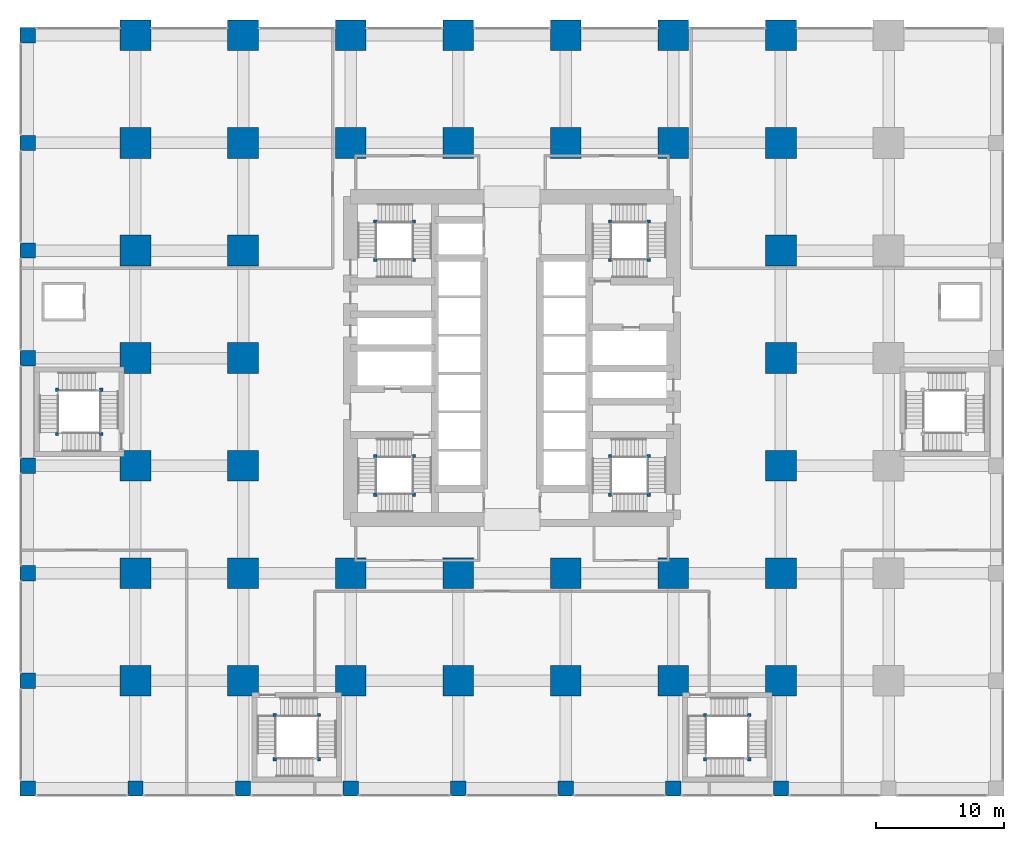
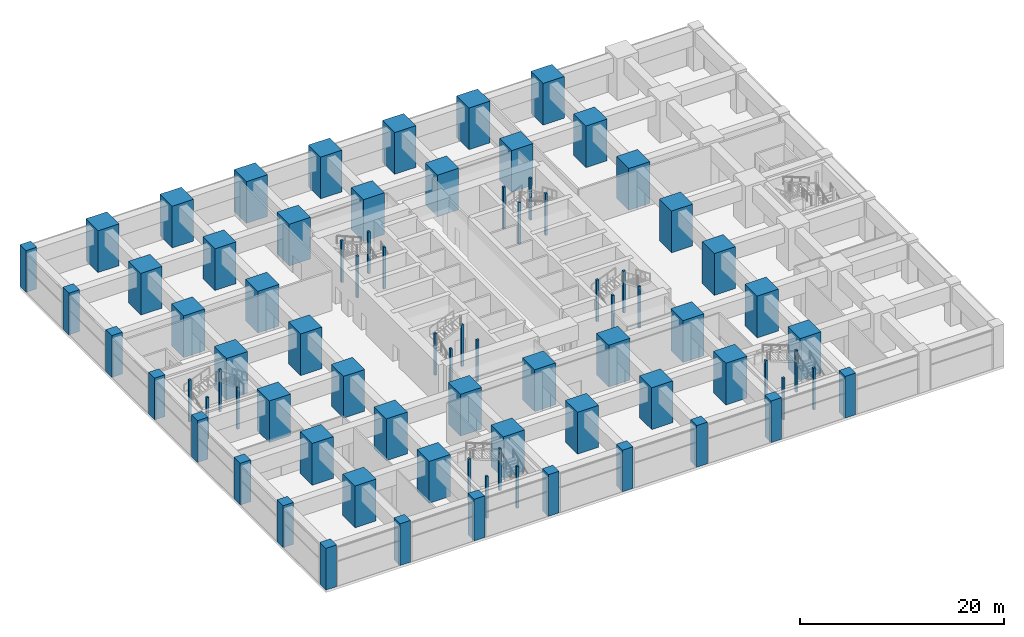
# One storey, part 1 of 48: 80 columns.
"""IFC4 building model written with IfcOpenShell, lengths in metres."""

from ifc_helpers import new_model, si_unit, direction, frame, origin, origin_2d, place, context, subcontext, project, spatial, rectangle, extrude, material, material_profile, profile_set, type_object, element, save


model = new_model("IFC4")

# Units and contexts
model_context = context("Model", 3, precision=1e-05, world=origin(), true_north=direction((0.0, 1.0)))
body_context = subcontext(model_context, "Body", "Model", "MODEL_VIEW")
ifc_project = project(units=[si_unit("LENGTHUNIT", "METRE"), si_unit("AREAUNIT", "SQUARE_METRE"), si_unit("VOLUMEUNIT", "CUBIC_METRE"), si_unit("PLANEANGLEUNIT", "RADIAN"), si_unit("MASSUNIT", "GRAM", prefix="KILO")], contexts=[model_context])

# Site, building, storey
site_placement = place(None, origin())
site = spatial("IfcSite", under=ifc_project, at=site_placement, CompositionType="ELEMENT")
building_placement = place(site_placement, origin())
building = spatial("IfcBuilding", under=site, at=building_placement, Name="Rekha Terrace Tower", CompositionType="ELEMENT")
storey_placement = place(building_placement, frame((0.0, 0.0, 15.39990234375)))
storey = spatial("IfcBuildingStorey", under=building, at=storey_placement, Name="L03", CompositionType="ELEMENT", Elevation=15.39990234375)

# Columns
ifc_material_1 = material(Name="Concrete M70", Category="concrete")
ifc_material_profile_1 = material_profile(ifc_material_1, rectangle(XDim=2.39990234375, YDim=2.39990234375, at=origin_2d()), Name="RC 2400x2400")
ifc_profile_set_1 = profile_set([ifc_material_profile_1], Name="Concrete M70")
column_type_1 = type_object("IfcColumnType", Name="C1 2400x2400 column", PredefinedType="COLUMN", material=ifc_profile_set_1)
for number, where, z_axis, x_axis, name in (
    (1, (8.39990234375, 8.39990234375, 0.0), (0.0, 0.0, 1.0), (1.0, 0.0, 0.0), "Column C1 2/B L03"),
    (2, (8.39990234375, 16.800048828125, 0.0), (0.0, 0.0, 1.0), (1.0, 0.0, 0.0), "Column C1 2/C L03"),
    (3, (8.39990234375, 25.199951171875, 0.0), (0.0, 0.0, 1.0), (1.0, 0.0, 0.0), "Column C1 2/D L03"),
    (4, (8.39990234375, 33.60009765625, 0.0), (0.0, 0.0, 1.0), (1.0, 0.0, 0.0), "Column C1 2/E L03"),
    (5, (8.39990234375, 42.0, 0.0), (0.0, 0.0, 1.0), (1.0, 0.0, 0.0), "Column C1 2/F L03"),
    (6, (8.39990234375, 50.39990234375, 0.0), (0.0, 0.0, 1.0), (1.0, 0.0, 0.0), "Column C1 2/G L03"),
    (7, (8.39990234375, 58.800048828125, 0.0), (0.0, 0.0, 1.0), (1.0, 0.0, 0.0), "Column C1 2/H L03"),
    (8, (16.800048828125, 8.39990234375, 0.0), (0.0, 0.0, 1.0), (1.0, 0.0, 0.0), "Column C1 3/B L03"),
    (9, (16.800048828125, 16.800048828125, 0.0), (0.0, 0.0, 1.0), (1.0, 0.0, 0.0), "Column C1 3/C L03"),
    (10, (16.800048828125, 25.199951171875, 0.0), (0.0, 0.0, 1.0), (1.0, 0.0, 0.0), "Column C1 3/D L03"),
    (11, (16.800048828125, 33.60009765625, 0.0), (0.0, 0.0, 1.0), (1.0, 0.0, 0.0), "Column C1 3/E L03"),
    (12, (16.800048828125, 42.0, 0.0), (0.0, 0.0, 1.0), (1.0, 0.0, 0.0), "Column C1 3/F L03"),
    (13, (16.800048828125, 50.39990234375, 0.0), (0.0, 0.0, 1.0), (1.0, 0.0, 0.0), "Column C1 3/G L03"),
    (14, (16.800048828125, 58.800048828125, 0.0), (0.0, 0.0, 1.0), (1.0, 0.0, 0.0), "Column C1 3/H L03"),
    (15, (25.199951171875, 8.39990234375, 0.0), (0.0, 0.0, 1.0), (1.0, 0.0, 0.0), "Column C1 4/B L03"),
    (16, (25.199951171875, 16.800048828125, 0.0), (0.0, 0.0, 1.0), (1.0, 0.0, 0.0), "Column C1 4/C L03"),
    (17, (25.199951171875, 50.39990234375, 0.0), (0.0, 0.0, 1.0), (1.0, 0.0, 0.0), "Column C1 4/G L03"),
    (18, (25.199951171875, 58.800048828125, 0.0), (0.0, 0.0, 1.0), (1.0, 0.0, 0.0), "Column C1 4/H L03"),
    (19, (33.60009765625, 8.39990234375, 0.0), (0.0, 0.0, 1.0), (1.0, 0.0, 0.0), "Column C1 5/B L03"),
    (20, (33.60009765625, 16.800048828125, 0.0), (0.0, 0.0, 1.0), (1.0, 0.0, 0.0), "Column C1 5/C L03"),
    (21, (33.60009765625, 50.39990234375, 0.0), (0.0, 0.0, 1.0), (1.0, 0.0, 0.0), "Column C1 5/G L03"),
    (22, (33.60009765625, 58.800048828125, 0.0), (0.0, 0.0, 1.0), (1.0, 0.0, 0.0), "Column C1 5/H L03"),
    (23, (42.0, 8.39990234375, 0.0), (0.0, 0.0, 1.0), (1.0, 0.0, 0.0), "Column C1 6/B L03"),
    (24, (42.0, 16.800048828125, 0.0), (0.0, 0.0, 1.0), (1.0, 0.0, 0.0), "Column C1 6/C L03"),
    (25, (42.0, 50.39990234375, 0.0), (0.0, 0.0, 1.0), (1.0, 0.0, 0.0), "Column C1 6/G L03"),
    (26, (42.0, 58.800048828125, 0.0), (0.0, 0.0, 1.0), (1.0, 0.0, 0.0), "Column C1 6/H L03"),
    (27, (50.39990234375, 8.39990234375, 0.0), (0.0, 0.0, 1.0), (1.0, 0.0, 0.0), "Column C1 7/B L03"),
    (28, (50.39990234375, 16.800048828125, 0.0), (0.0, 0.0, 1.0), (1.0, 0.0, 0.0), "Column C1 7/C L03"),
    (29, (50.39990234375, 50.39990234375, 0.0), (0.0, 0.0, 1.0), (1.0, 0.0, 0.0), "Column C1 7/G L03"),
    (30, (50.39990234375, 58.800048828125, 0.0), (0.0, 0.0, 1.0), (1.0, 0.0, 0.0), "Column C1 7/H L03"),
    (31, (58.800048828125, 8.39990234375, 0.0), (0.0, 0.0, 1.0), (1.0, 0.0, 0.0), "Column C1 8/B L03"),
    (32, (58.800048828125, 16.800048828125, 0.0), (0.0, 0.0, 1.0), (1.0, 0.0, 0.0), "Column C1 8/C L03"),
    (33, (58.800048828125, 25.199951171875, 0.0), (0.0, 0.0, 1.0), (1.0, 0.0, 0.0), "Column C1 8/D L03"),
    (34, (58.800048828125, 33.60009765625, 0.0), (0.0, 0.0, 1.0), (1.0, 0.0, 0.0), "Column C1 8/E L03"),
    (35, (58.800048828125, 42.0, 0.0), (0.0, 0.0, 1.0), (1.0, 0.0, 0.0), "Column C1 8/F L03"),
    (36, (58.800048828125, 50.39990234375, 0.0), (0.0, 0.0, 1.0), (1.0, 0.0, 0.0), "Column C1 8/G L03"),
    (37, (58.800048828125, 58.800048828125, 0.0), (0.0, 0.0, 1.0), (1.0, 0.0, 0.0), "Column C1 8/H L03"),
):
    element("IfcColumn", number, at=place(storey_placement, frame(where, z_axis=z_axis, x_axis=x_axis)), inside=storey, type_object=column_type_1, Name=name, PredefinedType="COLUMN", context=body_context, shape_type="SweptSolid", body=[
        extrude(rectangle(XDim=2.39990234375, YDim=2.39990234375, at=origin_2d()), origin(), (0.0, 0.0, 1.0), 5.0),
    ])
ifc_material_2 = material(Name="Concrete M60", Category="concrete")
ifc_material_profile_2 = material_profile(ifc_material_2, rectangle(XDim=1.199951171875, YDim=1.199951171875, at=origin_2d()), Name="RC 1200x1200")
ifc_profile_set_2 = profile_set([ifc_material_profile_2], Name="Concrete M60")
column_type_2 = type_object("IfcColumnType", Name="C6 1200x1200 podium column", PredefinedType="COLUMN", material=ifc_profile_set_2)
for number, where, z_axis, x_axis, name in (
    (38, (0.0, 0.0, 0.0), (0.0, 0.0, 1.0), (1.0, 0.0, 0.0), "Column C6 1/A L03"),
    (39, (0.0, 8.39990234375, 0.0), (0.0, 0.0, 1.0), (1.0, 0.0, 0.0), "Column C6 1/B L03"),
    (40, (0.0, 16.800048828125, 0.0), (0.0, 0.0, 1.0), (1.0, 0.0, 0.0), "Column C6 1/C L03"),
    (41, (0.0, 25.199951171875, 0.0), (0.0, 0.0, 1.0), (1.0, 0.0, 0.0), "Column C6 1/D L03"),
    (42, (0.0, 33.60009765625, 0.0), (0.0, 0.0, 1.0), (1.0, 0.0, 0.0), "Column C6 1/E L03"),
    (43, (0.0, 42.0, 0.0), (0.0, 0.0, 1.0), (1.0, 0.0, 0.0), "Column C6 1/F L03"),
    (44, (0.0, 50.39990234375, 0.0), (0.0, 0.0, 1.0), (1.0, 0.0, 0.0), "Column C6 1/G L03"),
    (45, (0.0, 58.800048828125, 0.0), (0.0, 0.0, 1.0), (1.0, 0.0, 0.0), "Column C6 1/H L03"),
    (46, (8.39990234375, 0.0, 0.0), (0.0, 0.0, 1.0), (1.0, 0.0, 0.0), "Column C6 2/A L03"),
    (47, (16.800048828125, 0.0, 0.0), (0.0, 0.0, 1.0), (1.0, 0.0, 0.0), "Column C6 3/A L03"),
    (48, (25.199951171875, 0.0, 0.0), (0.0, 0.0, 1.0), (1.0, 0.0, 0.0), "Column C6 4/A L03"),
    (49, (33.60009765625, 0.0, 0.0), (0.0, 0.0, 1.0), (1.0, 0.0, 0.0), "Column C6 5/A L03"),
    (50, (42.0, 0.0, 0.0), (0.0, 0.0, 1.0), (1.0, 0.0, 0.0), "Column C6 6/A L03"),
    (51, (50.39990234375, 0.0, 0.0), (0.0, 0.0, 1.0), (1.0, 0.0, 0.0), "Column C6 7/A L03"),
    (52, (58.800048828125, 0.0, 0.0), (0.0, 0.0, 1.0), (1.0, 0.0, 0.0), "Column C6 8/A L03"),
):
    element("IfcColumn", number, at=place(storey_placement, frame(where, z_axis=z_axis, x_axis=x_axis)), inside=storey, type_object=column_type_2, Name=name, PredefinedType="COLUMN", context=body_context, shape_type="SweptSolid", body=[
        extrude(rectangle(XDim=1.199951171875, YDim=1.199951171875, at=origin_2d()), origin(), (0.0, 0.0, 1.0), 5.0),
    ])
ifc_material_profile_3 = material_profile(ifc_material_2, rectangle(XDim=0.25, YDim=0.25, at=origin_2d()), Name="RC 250x250")
ifc_profile_set_3 = profile_set([ifc_material_profile_3], Name="Concrete M60")
column_type_3 = type_object("IfcColumnType", Name="NP1 250x250 stair newel post", PredefinedType="COLUMN", material=ifc_profile_set_3)
for number, where, z_axis, x_axis, name in (
    (53, (5.72509765625, 27.675048828125, 0.0), (0.0, 0.0, 1.0), (1.0, 0.0, 0.0), "Stair newel post NP1"),
    (54, (2.27490234375, 27.675048828125, 0.0), (0.0, 0.0, 1.0), (1.0, 0.0, 0.0), "Stair newel post NP1"),
    (55, (2.27490234375, 31.125, 0.0), (0.0, 0.0, 1.0), (1.0, 0.0, 0.0), "Stair newel post NP1"),
    (56, (5.72509765625, 31.125, 0.0), (0.0, 0.0, 1.0), (1.0, 0.0, 0.0), "Stair newel post NP1"),
    (57, (19.27490234375, 5.72509765625, 0.0), (0.0, 0.0, 1.0), (1.0, 0.0, 0.0), "Stair newel post NP1"),
    (58, (19.27490234375, 2.27490234375, 0.0), (0.0, 0.0, 1.0), (1.0, 0.0, 0.0), "Stair newel post NP1"),
    (59, (22.72509765625, 2.27490234375, 0.0), (0.0, 0.0, 1.0), (1.0, 0.0, 0.0), "Stair newel post NP1"),
    (60, (22.72509765625, 5.72509765625, 0.0), (0.0, 0.0, 1.0), (1.0, 0.0, 0.0), "Stair newel post NP1"),
    (61, (52.875, 5.72509765625, 0.0), (0.0, 0.0, 1.0), (1.0, 0.0, 0.0), "Stair newel post NP1"),
    (62, (52.875, 2.27490234375, 0.0), (0.0, 0.0, 1.0), (1.0, 0.0, 0.0), "Stair newel post NP1"),
    (63, (56.324951171875, 2.27490234375, 0.0), (0.0, 0.0, 1.0), (1.0, 0.0, 0.0), "Stair newel post NP1"),
    (64, (56.324951171875, 5.72509765625, 0.0), (0.0, 0.0, 1.0), (1.0, 0.0, 0.0), "Stair newel post NP1"),
    (65, (30.14990234375, 25.949951171875, 0.0), (0.0, 0.0, 1.0), (1.0, 0.0, 0.0), "Stair newel post NP1"),
    (66, (30.14990234375, 22.925048828125, 0.0), (0.0, 0.0, 1.0), (1.0, 0.0, 0.0), "Stair newel post NP1"),
    (67, (27.125, 22.925048828125, 0.0), (0.0, 0.0, 1.0), (1.0, 0.0, 0.0), "Stair newel post NP1"),
    (68, (27.125, 25.949951171875, 0.0), (0.0, 0.0, 1.0), (1.0, 0.0, 0.0), "Stair newel post NP1"),
    (69, (45.449951171875, 41.25, 0.0), (0.0, 0.0, 1.0), (1.0, 0.0, 0.0), "Stair newel post NP1"),
    (70, (45.449951171875, 44.27490234375, 0.0), (0.0, 0.0, 1.0), (1.0, 0.0, 0.0), "Stair newel post NP1"),
    (71, (48.47509765625, 44.27490234375, 0.0), (0.0, 0.0, 1.0), (1.0, 0.0, 0.0), "Stair newel post NP1"),
    (72, (48.47509765625, 41.25, 0.0), (0.0, 0.0, 1.0), (1.0, 0.0, 0.0), "Stair newel post NP1"),
    (73, (48.47509765625, 22.925048828125, 0.0), (0.0, 0.0, 1.0), (1.0, 0.0, 0.0), "Stair newel post NP1"),
    (74, (45.449951171875, 22.925048828125, 0.0), (0.0, 0.0, 1.0), (1.0, 0.0, 0.0), "Stair newel post NP1"),
    (75, (45.449951171875, 25.949951171875, 0.0), (0.0, 0.0, 1.0), (1.0, 0.0, 0.0), "Stair newel post NP1"),
    (76, (48.47509765625, 25.949951171875, 0.0), (0.0, 0.0, 1.0), (1.0, 0.0, 0.0), "Stair newel post NP1"),
    (77, (27.125, 41.25, 0.0), (0.0, 0.0, 1.0), (1.0, 0.0, 0.0), "Stair newel post NP1"),
    (78, (30.14990234375, 41.25, 0.0), (0.0, 0.0, 1.0), (1.0, 0.0, 0.0), "Stair newel post NP1"),
    (79, (30.14990234375, 44.27490234375, 0.0), (0.0, 0.0, 1.0), (1.0, 0.0, 0.0), "Stair newel post NP1"),
    (80, (27.125, 44.27490234375, 0.0), (0.0, 0.0, 1.0), (1.0, 0.0, 0.0), "Stair newel post NP1"),
):
    element("IfcColumn", number, at=place(storey_placement, frame(where, z_axis=z_axis, x_axis=x_axis)), inside=storey, type_object=column_type_3, Name=name, PredefinedType="COLUMN", context=body_context, shape_type="SweptSolid", body=[
        extrude(rectangle(XDim=0.25, YDim=0.25, at=origin_2d()), origin(), (0.0, 0.0, 1.0), 5.0),
    ])

save(model, "model.ifc")
